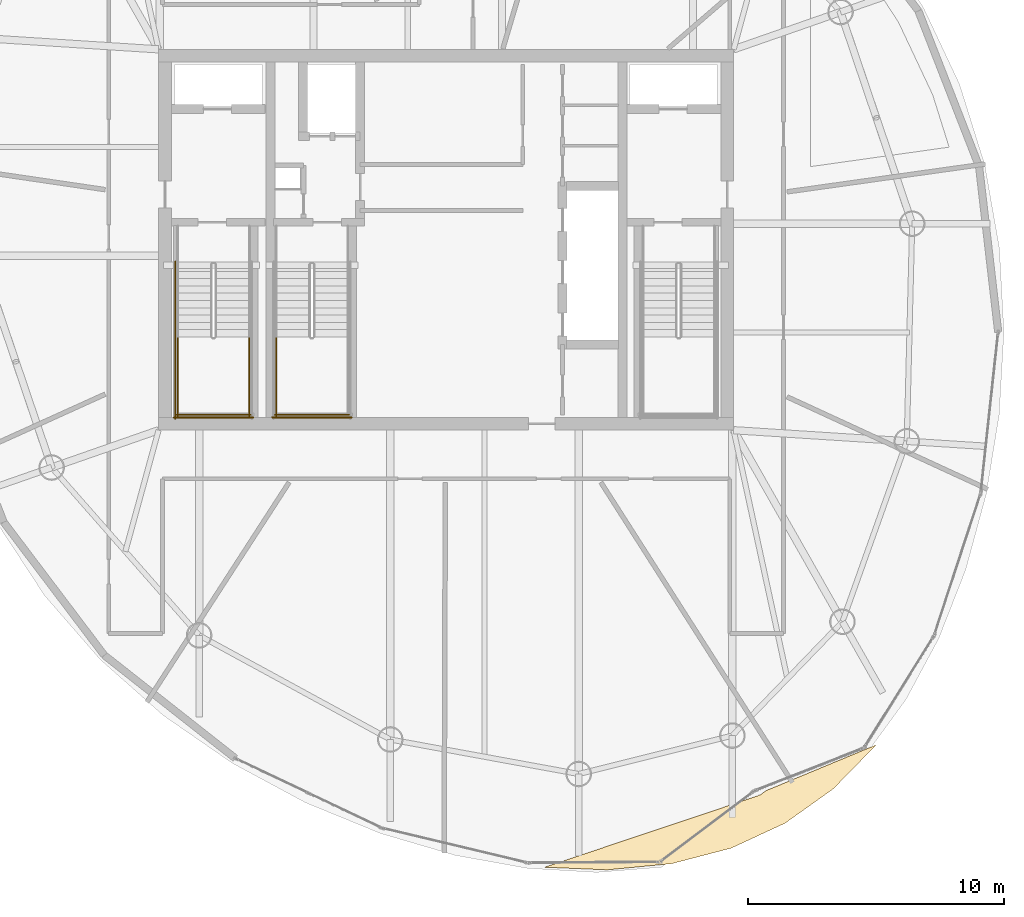
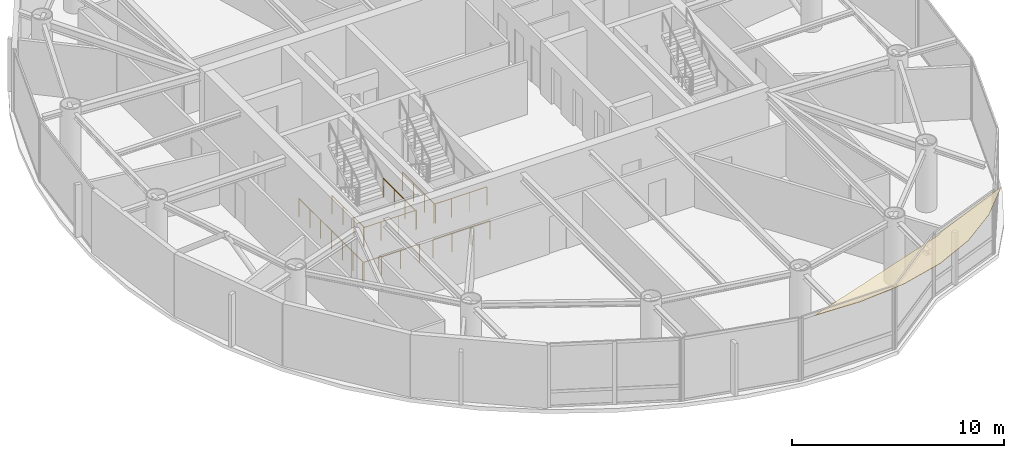
# One storey, part 18 of 20: 8 railings, 1 covering.
"""IFC4 building model written with IfcOpenShell, lengths in metres."""

from ifc_helpers import new_model, si_unit, direction, frame, origin, origin_2d, place, context, subcontext, project, spatial, polyline, circle, outline, extrude, material, layer, layer_set, type_object, element, save


model = new_model("IFC4")

# Units and contexts
model_context = context("Model", 3, precision=1e-05, world=origin(), true_north=direction((0.0, 1.0)))
body_context = subcontext(model_context, "Body", "Model", "MODEL_VIEW")
ifc_project = project(units=[si_unit("LENGTHUNIT", "METRE"), si_unit("AREAUNIT", "SQUARE_METRE"), si_unit("VOLUMEUNIT", "CUBIC_METRE"), si_unit("PLANEANGLEUNIT", "RADIAN"), si_unit("MASSUNIT", "GRAM", prefix="KILO")], contexts=[model_context])

# Site, building, storey
site_placement = place(None, origin())
site = spatial("IfcSite", under=ifc_project, at=site_placement, CompositionType="ELEMENT")
building_placement = place(site_placement, origin())
building = spatial("IfcBuilding", under=site, at=building_placement, Name="Bramvorn Convention Spire", CompositionType="ELEMENT")
storey_placement = place(building_placement, frame((0.0, 0.0, 276.699951171875)))
storey = spatial("IfcBuildingStorey", under=building, at=storey_placement, Name="L70", CompositionType="ELEMENT", Elevation=276.699951171875)

# Covering
ifc_material_1 = material(Name="Champagne Bronze Aluminium Composite Soffit", Category="aluminium")
ifc_layer = layer(ifc_material_1, 0.02490234375)
ifc_layer_set = layer_set([ifc_layer], Name="Champagne Bronze Aluminium Composite Soffit - COV-CLAD-SOFFIT-25")
covering_type = type_object("IfcCoveringType", Name="COV-CLAD-SOFFIT-25", PredefinedType="CLADDING", material=ifc_layer_set)
covering_placement = place(storey_placement, frame((0.0, 0.0, 3.60009765625)))
element("IfcCovering", 1, at=covering_placement, inside=storey, type_object=covering_type, Name="L69 double-height Sky Garden bronze soffit", PredefinedType="CLADDING", context=body_context, shape_type="SweptSolid", body=[
    extrude(outline(polyline([(54.827880859375, 6.237060546875), (50.5185546875, 4.447509765625), (50.273193359375, 4.27001953125), (41.852783203125, 1.451416015625), (44.30224609375, 1.3486328125), (46.8291015625, 1.591064453125), (49.15185546875, 2.196533203125), (51.259765625, 3.171630859375), (53.151123046875, 4.51953125), (54.827880859375, 6.237060546875)])), origin(), (0.0, 0.0, 1.0), 0.02490234375),
])

# Railings
ifc_material_2 = material(Name="Painted Steel Balustrade & Guardrail", Category="steel")
railing_type = type_object("IfcRailingType", Name="RL-STAIR-GUARD-1100", PredefinedType="GUARDRAIL", material=ifc_material_2)
for number, where, name in (
    (2, (27.5, 22.199951171875, 1.925048828125), "L70 ST1 stair guard 3"),
    (3, (30.300048828125, 22.199951171875, 1.925048828125), "L70 ST1 stair guard 4"),
):
    element("IfcRailing", number, at=place(storey_placement, frame(where)), inside=storey, type_object=railing_type, Name=name, PredefinedType="GUARDRAIL", context=body_context, shape_type="SweptSolid", body=[
        extrude(circle(Radius=0.02392578125, at=origin_2d()), frame((0.0, 0.0, 1.076171875), z_axis=(0.0, -1.0, 0.0), x_axis=(1.0, 0.0, 0.0)), (0.0, 0.0, 1.0), 3.099853515625),
        extrude(circle(Radius=0.02099609375, at=origin_2d()), origin(), (0.0, 0.0, 1.0), 1.052001953125),
        extrude(circle(Radius=0.02099609375, at=origin_2d()), frame((0.0, -1.033203125, 0.0)), (0.0, 0.0, 1.0), 1.052001953125),
        extrude(circle(Radius=0.02099609375, at=origin_2d()), frame((0.0, -2.066650390625, 0.0)), (0.0, 0.0, 1.0), 1.052001953125),
        extrude(circle(Radius=0.02099609375, at=origin_2d()), frame((0.0, -3.099853515625, 0.0)), (0.0, 0.0, 1.0), 1.052001953125),
    ])
railing_1_placement = place(storey_placement, frame((27.449951171875, 19.14990234375, 1.925048828125)))
element("IfcRailing", 4, at=railing_1_placement, inside=storey, type_object=railing_type, Name="L70 ST1 stair guard 5", PredefinedType="GUARDRAIL", context=body_context, shape_type="SweptSolid", body=[
    extrude(circle(Radius=0.02392578125, at=origin_2d()), frame((0.0, 0.0, 1.076171875), z_axis=(1.0, 0.0, 0.0), x_axis=(0.0, 1.0, 0.0)), (0.0, 0.0, 1.0), 2.900146484375),
    extrude(circle(Radius=0.02099609375, at=origin_2d()), origin(), (0.0, 0.0, 1.0), 1.052001953125),
    extrude(circle(Radius=0.02099609375, at=origin_2d()), frame((0.966796875, 0.0, 0.0)), (0.0, 0.0, 1.0), 1.052001953125),
    extrude(circle(Radius=0.02099609375, at=origin_2d()), frame((1.933349609375, 0.0, 0.0)), (0.0, 0.0, 1.0), 1.052001953125),
    extrude(circle(Radius=0.02099609375, at=origin_2d()), frame((2.900146484375, 0.0, 0.0)), (0.0, 0.0, 1.0), 1.052001953125),
])
railing_2_placement = place(storey_placement, frame((27.39990234375, 25.14990234375, 0.0)))
element("IfcRailing", 5, at=railing_2_placement, inside=storey, type_object=railing_type, Name="L70 ST1 stair guard 10", PredefinedType="GUARDRAIL", context=body_context, shape_type="SweptSolid", body=[
    extrude(circle(Radius=0.02392578125, at=origin_2d()), frame((0.0, 0.0, 1.076171875), z_axis=(0.0, -1.0, 0.0), x_axis=(1.0, 0.0, 0.0)), (0.0, 0.0, 1.0), 6.14990234375),
    extrude(circle(Radius=0.02099609375, at=origin_2d()), origin(), (0.0, 0.0, 1.0), 1.052001953125),
    extrude(circle(Radius=0.02099609375, at=origin_2d()), frame((0.0, -1.02490234375, 0.0)), (0.0, 0.0, 1.0), 1.052001953125),
    extrude(circle(Radius=0.02099609375, at=origin_2d()), frame((0.0, -2.050048828125, 0.0)), (0.0, 0.0, 1.0), 1.052001953125),
    extrude(circle(Radius=0.02099609375, at=origin_2d()), frame((0.0, -3.074951171875, 0.0)), (0.0, 0.0, 1.0), 1.052001953125),
    extrude(circle(Radius=0.02099609375, at=origin_2d()), frame((0.0, -4.099853515625, 0.0)), (0.0, 0.0, 1.0), 1.052001953125),
    extrude(circle(Radius=0.02099609375, at=origin_2d()), frame((0.0, -5.125, 0.0)), (0.0, 0.0, 1.0), 1.052001953125),
    extrude(circle(Radius=0.02099609375, at=origin_2d()), frame((0.0, -6.14990234375, 0.0)), (0.0, 0.0, 1.0), 1.052001953125),
])
railing_3_placement = place(storey_placement, frame((27.35009765625, 19.050048828125, 0.0)))
element("IfcRailing", 6, at=railing_3_placement, inside=storey, type_object=railing_type, Name="L70 ST1 stair guard 12", PredefinedType="GUARDRAIL", context=body_context, shape_type="SweptSolid", body=[
    extrude(circle(Radius=0.02392578125, at=origin_2d()), frame((0.0, 0.0, 1.076171875), z_axis=(1.0, 0.0, 0.0), x_axis=(0.0, 1.0, 0.0)), (0.0, 0.0, 1.0), 3.099853515625),
    extrude(circle(Radius=0.02099609375, at=origin_2d()), origin(), (0.0, 0.0, 1.0), 1.052001953125),
    extrude(circle(Radius=0.02099609375, at=origin_2d()), frame((1.033203125, 0.0, 0.0)), (0.0, 0.0, 1.0), 1.052001953125),
    extrude(circle(Radius=0.02099609375, at=origin_2d()), frame((2.066650390625, 0.0, 0.0)), (0.0, 0.0, 1.0), 1.052001953125),
    extrude(circle(Radius=0.02099609375, at=origin_2d()), frame((3.099853515625, 0.0, 0.0)), (0.0, 0.0, 1.0), 1.052001953125),
])
railing_4_placement = place(storey_placement, frame((31.35009765625, 22.199951171875, 1.925048828125)))
element("IfcRailing", 7, at=railing_4_placement, inside=storey, type_object=railing_type, Name="L70 ST3 stair guard 3", PredefinedType="GUARDRAIL", context=body_context, shape_type="SweptSolid", body=[
    extrude(circle(Radius=0.02392578125, at=origin_2d()), frame((0.0, 0.0, 1.076171875), z_axis=(0.0, -1.0, 0.0), x_axis=(1.0, 0.0, 0.0)), (0.0, 0.0, 1.0), 3.099853515625),
    extrude(circle(Radius=0.02099609375, at=origin_2d()), origin(), (0.0, 0.0, 1.0), 1.052001953125),
    extrude(circle(Radius=0.02099609375, at=origin_2d()), frame((0.0, -1.033203125, 0.0)), (0.0, 0.0, 1.0), 1.052001953125),
    extrude(circle(Radius=0.02099609375, at=origin_2d()), frame((0.0, -2.066650390625, 0.0)), (0.0, 0.0, 1.0), 1.052001953125),
    extrude(circle(Radius=0.02099609375, at=origin_2d()), frame((0.0, -3.099853515625, 0.0)), (0.0, 0.0, 1.0), 1.052001953125),
])
railing_5_placement = place(storey_placement, frame((31.300048828125, 19.14990234375, 1.925048828125)))
element("IfcRailing", 8, at=railing_5_placement, inside=storey, type_object=railing_type, Name="L70 ST3 stair guard 5", PredefinedType="GUARDRAIL", context=body_context, shape_type="SweptSolid", body=[
    extrude(circle(Radius=0.02392578125, at=origin_2d()), frame((0.0, 0.0, 1.076171875), z_axis=(1.0, 0.0, 0.0), x_axis=(0.0, 1.0, 0.0)), (0.0, 0.0, 1.0), 2.89990234375),
    extrude(circle(Radius=0.02099609375, at=origin_2d()), origin(), (0.0, 0.0, 1.0), 1.052001953125),
    extrude(circle(Radius=0.02099609375, at=origin_2d()), frame((0.966552734375, 0.0, 0.0)), (0.0, 0.0, 1.0), 1.052001953125),
    extrude(circle(Radius=0.02099609375, at=origin_2d()), frame((1.933349609375, 0.0, 0.0)), (0.0, 0.0, 1.0), 1.052001953125),
    extrude(circle(Radius=0.02099609375, at=origin_2d()), frame((2.89990234375, 0.0, 0.0)), (0.0, 0.0, 1.0), 1.052001953125),
])
railing_6_placement = place(storey_placement, frame((31.199951171875, 19.050048828125, 0.0)))
element("IfcRailing", 9, at=railing_6_placement, inside=storey, type_object=railing_type, Name="L70 ST3 stair guard 12", PredefinedType="GUARDRAIL", context=body_context, shape_type="SweptSolid", body=[
    extrude(circle(Radius=0.02392578125, at=origin_2d()), frame((0.0, 0.0, 1.076171875), z_axis=(1.0, 0.0, 0.0), x_axis=(0.0, 1.0, 0.0)), (0.0, 0.0, 1.0), 3.10009765625),
    extrude(circle(Radius=0.02099609375, at=origin_2d()), origin(), (0.0, 0.0, 1.0), 1.052001953125),
    extrude(circle(Radius=0.02099609375, at=origin_2d()), frame((1.033447265625, 0.0, 0.0)), (0.0, 0.0, 1.0), 1.052001953125),
    extrude(circle(Radius=0.02099609375, at=origin_2d()), frame((2.066650390625, 0.0, 0.0)), (0.0, 0.0, 1.0), 1.052001953125),
    extrude(circle(Radius=0.02099609375, at=origin_2d()), frame((3.10009765625, 0.0, 0.0)), (0.0, 0.0, 1.0), 1.052001953125),
])

save(model, "model.ifc")
